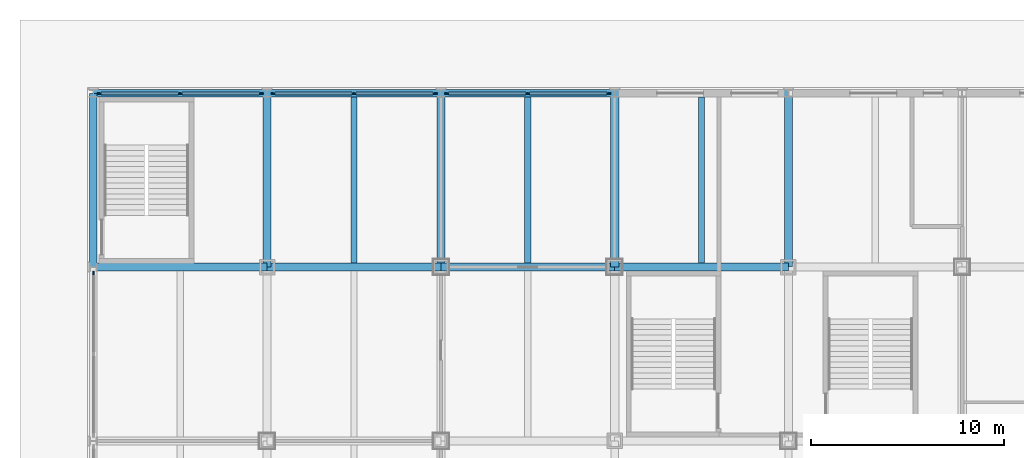
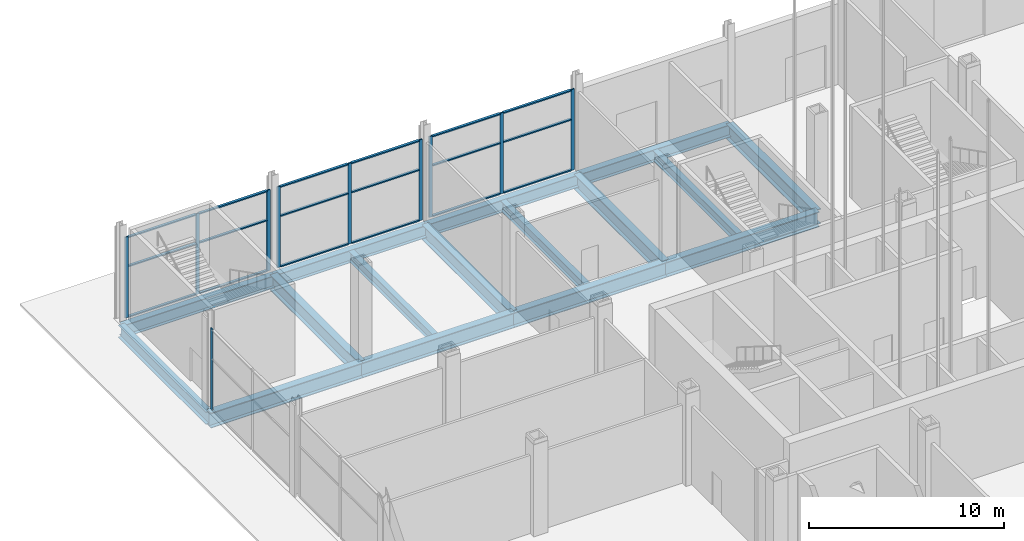
# One storey, part 14 of 34: 28 members, 16 beams, 4 elements without a shape of their own.
"""IFC4 building model written with IfcOpenShell, lengths in metres."""

from ifc_helpers import new_model, si_unit, direction, frame, origin, origin_2d, place, context, subcontext, project, spatial, rectangle, i_section, extrude, material, material_profile, profile_set, type_object, element, aggregate, save


model = new_model("IFC4")

# Units and contexts
model_context = context("Model", 3, precision=1e-05, world=origin(), true_north=direction((0.0, 1.0)))
body_context = subcontext(model_context, "Body", "Model", "MODEL_VIEW")
ifc_project = project(units=[si_unit("LENGTHUNIT", "METRE"), si_unit("AREAUNIT", "SQUARE_METRE"), si_unit("VOLUMEUNIT", "CUBIC_METRE"), si_unit("PLANEANGLEUNIT", "RADIAN"), si_unit("MASSUNIT", "GRAM", prefix="KILO")], contexts=[model_context])

# Site, building, storey
site_placement = place(None, origin())
site = spatial("IfcSite", under=ifc_project, at=site_placement, CompositionType="ELEMENT")
building_placement = place(site_placement, origin())
building = spatial("IfcBuilding", under=site, at=building_placement, Name="Loomwork Tower", CompositionType="ELEMENT")
storey_placement = place(building_placement, origin())
storey = spatial("IfcBuildingStorey", under=building, at=storey_placement, Name="L00", CompositionType="ELEMENT", Elevation=0.0)

# Beams
ifc_material_1 = material(Name="Steel ASTM A992", Category="steel")
ifc_material_profile_1 = material_profile(ifc_material_1, i_section(OverallWidth=0.381103515625, OverallDepth=0.77978515625, WebThickness=0.01806640625, FlangeThickness=0.0302734375, at=origin_2d()), Name="W30x191")
ifc_profile_set_1 = profile_set([ifc_material_profile_1], Name="Steel ASTM A992")
beam_type_1 = type_object("IfcBeamType", Name="EDGE GIRDER W30x191", PredefinedType="BEAM", material=ifc_profile_set_1)
for number, where, z_axis, x_axis, name in (
    (1, (-9.0, 45.0, -0.68994140625), (1.0, 0.0, 0.0), (0.0, 1.0, 0.0), "Edge Girder J/1-J/2 L00"),
    (2, (0.0, 45.0, -0.68994140625), (1.0, 0.0, 0.0), (0.0, 1.0, 0.0), "Edge Girder J/2-J/3 L00"),
    (3, (9.0, 45.0, -0.68994140625), (1.0, 0.0, 0.0), (0.0, 1.0, 0.0), "Edge Girder J/3-J/4 L00"),
    (4, (18.0, 45.0, -0.68994140625), (1.0, 0.0, 0.0), (0.0, 1.0, 0.0), "Edge Girder J/4-J/5 L00"),
    (5, (-9.0, 36.0, -0.68994140625), (0.0, 1.0, 0.0), (-1.0, 0.0, 0.0), "Edge Girder H/1-J/1 L00"),
):
    element("IfcBeam", number, at=place(storey_placement, frame(where, z_axis=z_axis, x_axis=x_axis)), inside=storey, type_object=beam_type_1, Name=name, PredefinedType="BEAM", context=body_context, shape_type="SweptSolid", body=[
        extrude(i_section(OverallWidth=0.381103515625, OverallDepth=0.77978515625, WebThickness=0.01806640625, FlangeThickness=0.0302734375, at=origin_2d()), origin(), (0.0, 0.0, 1.0), 9.0),
    ])
ifc_material_2 = material(Name="Steel ASTM A992", Category="steel")
ifc_material_profile_2 = material_profile(ifc_material_2, i_section(OverallWidth=0.3251953125, OverallDepth=0.612060546875, WebThickness=0.0126953125, FlangeThickness=0.01904296875, at=origin_2d()), Name="W24x104")
ifc_profile_set_2 = profile_set([ifc_material_profile_2], Name="Steel ASTM A992")
beam_type_2 = type_object("IfcBeamType", Name="FLOOR JOIST W24x104", PredefinedType="JOIST", material=ifc_profile_set_2)
for number, where, z_axis, x_axis, name in (
    (6, (4.5, 36.2119140625, -0.60595703125), (0.0, 1.0, 0.0), (-1.0, 0.0, 0.0), "Floor Joist 4.500,36.000-4.500,45.000 L00"),
    (7, (13.5, 36.2119140625, -0.60595703125), (0.0, 1.0, 0.0), (-1.0, 0.0, 0.0), "Floor Joist 13.500,36.000-13.500,45.000 L00"),
    (8, (22.5, 36.2119140625, -0.60595703125), (0.0, 1.0, 0.0), (-1.0, 0.0, 0.0), "Floor Joist 22.500,36.000-22.500,45.000 L00"),
):
    element("IfcBeam", number, at=place(storey_placement, frame(where, z_axis=z_axis, x_axis=x_axis)), inside=storey, type_object=beam_type_2, Name=name, PredefinedType="JOIST", context=body_context, shape_type="SweptSolid", body=[
        extrude(i_section(OverallWidth=0.3251953125, OverallDepth=0.612060546875, WebThickness=0.0126953125, FlangeThickness=0.01904296875, at=origin_2d()), origin(), (0.0, 0.0, 1.0), 8.59814453125),
    ])

# Curtain wall, members
ifc_material_3 = material(Name="Aluminium storefront frame", Category="aluminium")
curtain_wall_type = type_object("IfcCurtainWallType", Name="Storefront glazing", PredefinedType="NOTDEFINED", material=ifc_material_3)
curtain_wall_1_placement = place(storey_placement, origin())
curtain_wall_1 = element("IfcCurtainWall", 9, at=curtain_wall_1_placement, inside=storey, type_object=curtain_wall_type, Name="Storefront glazing cw/N--9", PredefinedType="NOTDEFINED")
ifc_material_4 = material(Name="Aluminium storefront frame", Category="aluminium")
ifc_material_profile_3 = material_profile(ifc_material_4, rectangle(XDim=0.074951171875, YDim=0.199951171875, at=origin_2d()), Name="AL 75x200")
ifc_profile_set_3 = profile_set([ifc_material_profile_3], Name="Aluminium storefront frame")
member_type_1 = type_object("IfcMemberType", Name="Storefront glazing mullion", PredefinedType="MULLION", material=ifc_profile_set_3)
member_1_placement = place(storey_placement, frame((-0.30078125, 45.0, 0.0), z_axis=(0.0, 0.0, 1.0), x_axis=(0.0, -1.0, 0.0)))
member_1 = element("IfcMember", 10, at=member_1_placement, type_object=member_type_1, Name="CW7 mullion 1", PredefinedType="MULLION", context=body_context, shape_type="SweptSolid", body=[
    extrude(rectangle(XDim=0.074951171875, YDim=0.199951171875, at=origin_2d()), origin(), (0.0, 0.0, 1.0), 5.053955078125),
])
member_2_placement = place(storey_placement, frame((-4.5, 45.0, 0.0), z_axis=(0.0, 0.0, 1.0), x_axis=(0.0, -1.0, 0.0)))
member_2 = element("IfcMember", 11, at=member_2_placement, type_object=member_type_1, Name="CW7 mullion 2", PredefinedType="MULLION", context=body_context, shape_type="SweptSolid", body=[
    extrude(rectangle(XDim=0.074951171875, YDim=0.199951171875, at=origin_2d()), origin(), (0.0, 0.0, 1.0), 5.053955078125),
])
member_3_placement = place(storey_placement, frame((-8.69921875, 45.0, 0.0), z_axis=(0.0, 0.0, 1.0), x_axis=(0.0, -1.0, 0.0)))
member_3 = element("IfcMember", 12, at=member_3_placement, type_object=member_type_1, Name="CW7 mullion 3", PredefinedType="MULLION", context=body_context, shape_type="SweptSolid", body=[
    extrude(rectangle(XDim=0.074951171875, YDim=0.199951171875, at=origin_2d()), origin(), (0.0, 0.0, 1.0), 5.053955078125),
])

curtain_wall_2_placement = place(storey_placement, origin())
curtain_wall_2 = element("IfcCurtainWall", 13, at=curtain_wall_2_placement, inside=storey, type_object=curtain_wall_type, Name="Storefront glazing cw/N-0", PredefinedType="NOTDEFINED")
member_4_placement = place(storey_placement, frame((8.69921875, 45.0, 0.0), z_axis=(0.0, 0.0, 1.0), x_axis=(0.0, -1.0, 0.0)))
member_4 = element("IfcMember", 14, at=member_4_placement, type_object=member_type_1, Name="CW7 mullion 1", PredefinedType="MULLION", context=body_context, shape_type="SweptSolid", body=[
    extrude(rectangle(XDim=0.074951171875, YDim=0.199951171875, at=origin_2d()), origin(), (0.0, 0.0, 1.0), 5.053955078125),
])
member_5_placement = place(storey_placement, frame((4.5, 45.0, 0.0), z_axis=(0.0, 0.0, 1.0), x_axis=(0.0, -1.0, 0.0)))
member_5 = element("IfcMember", 15, at=member_5_placement, type_object=member_type_1, Name="CW7 mullion 2", PredefinedType="MULLION", context=body_context, shape_type="SweptSolid", body=[
    extrude(rectangle(XDim=0.074951171875, YDim=0.199951171875, at=origin_2d()), origin(), (0.0, 0.0, 1.0), 5.053955078125),
])
member_6_placement = place(storey_placement, frame((0.30078125, 45.0, 0.0), z_axis=(0.0, 0.0, 1.0), x_axis=(0.0, -1.0, 0.0)))
member_6 = element("IfcMember", 16, at=member_6_placement, type_object=member_type_1, Name="CW7 mullion 3", PredefinedType="MULLION", context=body_context, shape_type="SweptSolid", body=[
    extrude(rectangle(XDim=0.074951171875, YDim=0.199951171875, at=origin_2d()), origin(), (0.0, 0.0, 1.0), 5.053955078125),
])

curtain_wall_3_placement = place(storey_placement, origin())
curtain_wall_3 = element("IfcCurtainWall", 17, at=curtain_wall_3_placement, inside=storey, type_object=curtain_wall_type, Name="Storefront glazing cw/N-9", PredefinedType="NOTDEFINED")
member_7_placement = place(storey_placement, frame((17.69921875, 45.0, 0.0), z_axis=(0.0, 0.0, 1.0), x_axis=(0.0, -1.0, 0.0)))
member_7 = element("IfcMember", 18, at=member_7_placement, type_object=member_type_1, Name="CW7 mullion 1", PredefinedType="MULLION", context=body_context, shape_type="SweptSolid", body=[
    extrude(rectangle(XDim=0.074951171875, YDim=0.199951171875, at=origin_2d()), origin(), (0.0, 0.0, 1.0), 5.053955078125),
])
member_8_placement = place(storey_placement, frame((13.5, 45.0, 0.0), z_axis=(0.0, 0.0, 1.0), x_axis=(0.0, -1.0, 0.0)))
member_8 = element("IfcMember", 19, at=member_8_placement, type_object=member_type_1, Name="CW7 mullion 2", PredefinedType="MULLION", context=body_context, shape_type="SweptSolid", body=[
    extrude(rectangle(XDim=0.074951171875, YDim=0.199951171875, at=origin_2d()), origin(), (0.0, 0.0, 1.0), 5.053955078125),
])
member_9_placement = place(storey_placement, frame((9.30078125, 45.0, 0.0), z_axis=(0.0, 0.0, 1.0), x_axis=(0.0, -1.0, 0.0)))
member_9 = element("IfcMember", 20, at=member_9_placement, type_object=member_type_1, Name="CW7 mullion 3", PredefinedType="MULLION", context=body_context, shape_type="SweptSolid", body=[
    extrude(rectangle(XDim=0.074951171875, YDim=0.199951171875, at=origin_2d()), origin(), (0.0, 0.0, 1.0), 5.053955078125),
])

# Curtain wall, member
curtain_wall_4_placement = place(storey_placement, origin())
curtain_wall_4 = element("IfcCurtainWall", 21, at=curtain_wall_4_placement, inside=storey, type_object=curtain_wall_type, Name="Storefront glazing cw/W-27", PredefinedType="NOTDEFINED")
member_10_placement = place(storey_placement, frame((-9.0, 35.69921875, 0.0), z_axis=(0.0, 0.0, 1.0), x_axis=(1.0, 0.0, 0.0)))
member_10 = element("IfcMember", 22, at=member_10_placement, type_object=member_type_1, Name="CW7 mullion 1", PredefinedType="MULLION", context=body_context, shape_type="SweptSolid", body=[
    extrude(rectangle(XDim=0.074951171875, YDim=0.199951171875, at=origin_2d()), origin(), (0.0, 0.0, 1.0), 5.053955078125),
])
aggregate(curtain_wall_4, [member_10])

# Member
ifc_material_5 = material(Name="Aluminium storefront frame", Category="aluminium")
ifc_material_profile_4 = material_profile(ifc_material_5, rectangle(XDim=0.14990234375, YDim=0.074951171875, at=origin_2d()), Name="AL 75x150")
ifc_profile_set_4 = profile_set([ifc_material_profile_4], Name="Aluminium storefront frame")
member_type_2 = type_object("IfcMemberType", Name="Storefront glazing transom", PredefinedType="USERDEFINED", material=ifc_profile_set_4)
member_11_placement = place(storey_placement, frame((-0.400634765625, 45.0, 0.03759765625), z_axis=(-1.0, 0.0, 0.0), x_axis=(0.0, -1.0, 0.0)))
member_11 = element("IfcMember", 23, at=member_11_placement, type_object=member_type_2, Name="CW7 transom 1.1", ObjectType="TRANSOM", PredefinedType="USERDEFINED", context=body_context, shape_type="SweptSolid", body=[
    extrude(rectangle(XDim=0.14990234375, YDim=0.074951171875, at=origin_2d()), origin(), (0.0, 0.0, 1.0), 3.999267578125),
])

member_12_placement = place(storey_placement, frame((-0.400634765625, 45.0, 3.199951171875), z_axis=(-1.0, 0.0, 0.0), x_axis=(0.0, -1.0, 0.0)))
member_12 = element("IfcMember", 24, at=member_12_placement, type_object=member_type_2, Name="CW7 transom 1.2", ObjectType="TRANSOM", PredefinedType="USERDEFINED", context=body_context, shape_type="SweptSolid", body=[
    extrude(rectangle(XDim=0.14990234375, YDim=0.074951171875, at=origin_2d()), origin(), (0.0, 0.0, 1.0), 3.999267578125),
])

member_13_placement = place(storey_placement, frame((-0.400634765625, 45.0, 5.0166015625), z_axis=(-1.0, 0.0, 0.0), x_axis=(0.0, -1.0, 0.0)))
member_13 = element("IfcMember", 25, at=member_13_placement, type_object=member_type_2, Name="CW7 transom 1.3", ObjectType="TRANSOM", PredefinedType="USERDEFINED", context=body_context, shape_type="SweptSolid", body=[
    extrude(rectangle(XDim=0.14990234375, YDim=0.074951171875, at=origin_2d()), origin(), (0.0, 0.0, 1.0), 3.999267578125),
])

member_14_placement = place(storey_placement, frame((-4.60009765625, 45.0, 0.03759765625), z_axis=(-1.0, 0.0, 0.0), x_axis=(0.0, -1.0, 0.0)))
member_14 = element("IfcMember", 26, at=member_14_placement, type_object=member_type_2, Name="CW7 transom 2.1", ObjectType="TRANSOM", PredefinedType="USERDEFINED", context=body_context, shape_type="SweptSolid", body=[
    extrude(rectangle(XDim=0.14990234375, YDim=0.074951171875, at=origin_2d()), origin(), (0.0, 0.0, 1.0), 3.999267578125),
])

member_15_placement = place(storey_placement, frame((-4.60009765625, 45.0, 3.199951171875), z_axis=(-1.0, 0.0, 0.0), x_axis=(0.0, -1.0, 0.0)))
member_15 = element("IfcMember", 27, at=member_15_placement, type_object=member_type_2, Name="CW7 transom 2.2", ObjectType="TRANSOM", PredefinedType="USERDEFINED", context=body_context, shape_type="SweptSolid", body=[
    extrude(rectangle(XDim=0.14990234375, YDim=0.074951171875, at=origin_2d()), origin(), (0.0, 0.0, 1.0), 3.999267578125),
])

member_16_placement = place(storey_placement, frame((-4.60009765625, 45.0, 5.0166015625), z_axis=(-1.0, 0.0, 0.0), x_axis=(0.0, -1.0, 0.0)))
member_16 = element("IfcMember", 28, at=member_16_placement, type_object=member_type_2, Name="CW7 transom 2.3", ObjectType="TRANSOM", PredefinedType="USERDEFINED", context=body_context, shape_type="SweptSolid", body=[
    extrude(rectangle(XDim=0.14990234375, YDim=0.074951171875, at=origin_2d()), origin(), (0.0, 0.0, 1.0), 3.999267578125),
])

aggregate(curtain_wall_1, [member_1, member_2, member_3, member_11, member_12, member_13, member_14, member_15, member_16])

member_17_placement = place(storey_placement, frame((8.599365234375, 45.0, 0.03759765625), z_axis=(-1.0, 0.0, 0.0), x_axis=(0.0, -1.0, 0.0)))
member_17 = element("IfcMember", 29, at=member_17_placement, type_object=member_type_2, Name="CW7 transom 1.1", ObjectType="TRANSOM", PredefinedType="USERDEFINED", context=body_context, shape_type="SweptSolid", body=[
    extrude(rectangle(XDim=0.14990234375, YDim=0.074951171875, at=origin_2d()), origin(), (0.0, 0.0, 1.0), 3.999267578125),
])

member_18_placement = place(storey_placement, frame((8.599365234375, 45.0, 3.199951171875), z_axis=(-1.0, 0.0, 0.0), x_axis=(0.0, -1.0, 0.0)))
member_18 = element("IfcMember", 30, at=member_18_placement, type_object=member_type_2, Name="CW7 transom 1.2", ObjectType="TRANSOM", PredefinedType="USERDEFINED", context=body_context, shape_type="SweptSolid", body=[
    extrude(rectangle(XDim=0.14990234375, YDim=0.074951171875, at=origin_2d()), origin(), (0.0, 0.0, 1.0), 3.999267578125),
])

member_19_placement = place(storey_placement, frame((8.599365234375, 45.0, 5.0166015625), z_axis=(-1.0, 0.0, 0.0), x_axis=(0.0, -1.0, 0.0)))
member_19 = element("IfcMember", 31, at=member_19_placement, type_object=member_type_2, Name="CW7 transom 1.3", ObjectType="TRANSOM", PredefinedType="USERDEFINED", context=body_context, shape_type="SweptSolid", body=[
    extrude(rectangle(XDim=0.14990234375, YDim=0.074951171875, at=origin_2d()), origin(), (0.0, 0.0, 1.0), 3.999267578125),
])

member_20_placement = place(storey_placement, frame((4.39990234375, 45.0, 0.03759765625), z_axis=(-1.0, 0.0, 0.0), x_axis=(0.0, -1.0, 0.0)))
member_20 = element("IfcMember", 32, at=member_20_placement, type_object=member_type_2, Name="CW7 transom 2.1", ObjectType="TRANSOM", PredefinedType="USERDEFINED", context=body_context, shape_type="SweptSolid", body=[
    extrude(rectangle(XDim=0.14990234375, YDim=0.074951171875, at=origin_2d()), origin(), (0.0, 0.0, 1.0), 3.999267578125),
])

member_21_placement = place(storey_placement, frame((4.39990234375, 45.0, 3.199951171875), z_axis=(-1.0, 0.0, 0.0), x_axis=(0.0, -1.0, 0.0)))
member_21 = element("IfcMember", 33, at=member_21_placement, type_object=member_type_2, Name="CW7 transom 2.2", ObjectType="TRANSOM", PredefinedType="USERDEFINED", context=body_context, shape_type="SweptSolid", body=[
    extrude(rectangle(XDim=0.14990234375, YDim=0.074951171875, at=origin_2d()), origin(), (0.0, 0.0, 1.0), 3.999267578125),
])

member_22_placement = place(storey_placement, frame((4.39990234375, 45.0, 5.0166015625), z_axis=(-1.0, 0.0, 0.0), x_axis=(0.0, -1.0, 0.0)))
member_22 = element("IfcMember", 34, at=member_22_placement, type_object=member_type_2, Name="CW7 transom 2.3", ObjectType="TRANSOM", PredefinedType="USERDEFINED", context=body_context, shape_type="SweptSolid", body=[
    extrude(rectangle(XDim=0.14990234375, YDim=0.074951171875, at=origin_2d()), origin(), (0.0, 0.0, 1.0), 3.999267578125),
])

aggregate(curtain_wall_2, [member_4, member_5, member_6, member_17, member_18, member_19, member_20, member_21, member_22])

member_23_placement = place(storey_placement, frame((17.599365234375, 45.0, 0.03759765625), z_axis=(-1.0, 0.0, 0.0), x_axis=(0.0, -1.0, 0.0)))
member_23 = element("IfcMember", 35, at=member_23_placement, type_object=member_type_2, Name="CW7 transom 1.1", ObjectType="TRANSOM", PredefinedType="USERDEFINED", context=body_context, shape_type="SweptSolid", body=[
    extrude(rectangle(XDim=0.14990234375, YDim=0.074951171875, at=origin_2d()), origin(), (0.0, 0.0, 1.0), 3.999267578125),
])

member_24_placement = place(storey_placement, frame((17.599365234375, 45.0, 3.199951171875), z_axis=(-1.0, 0.0, 0.0), x_axis=(0.0, -1.0, 0.0)))
member_24 = element("IfcMember", 36, at=member_24_placement, type_object=member_type_2, Name="CW7 transom 1.2", ObjectType="TRANSOM", PredefinedType="USERDEFINED", context=body_context, shape_type="SweptSolid", body=[
    extrude(rectangle(XDim=0.14990234375, YDim=0.074951171875, at=origin_2d()), origin(), (0.0, 0.0, 1.0), 3.999267578125),
])

member_25_placement = place(storey_placement, frame((17.599365234375, 45.0, 5.0166015625), z_axis=(-1.0, 0.0, 0.0), x_axis=(0.0, -1.0, 0.0)))
member_25 = element("IfcMember", 37, at=member_25_placement, type_object=member_type_2, Name="CW7 transom 1.3", ObjectType="TRANSOM", PredefinedType="USERDEFINED", context=body_context, shape_type="SweptSolid", body=[
    extrude(rectangle(XDim=0.14990234375, YDim=0.074951171875, at=origin_2d()), origin(), (0.0, 0.0, 1.0), 3.999267578125),
])

member_26_placement = place(storey_placement, frame((13.39990234375, 45.0, 0.03759765625), z_axis=(-1.0, 0.0, 0.0), x_axis=(0.0, -1.0, 0.0)))
member_26 = element("IfcMember", 38, at=member_26_placement, type_object=member_type_2, Name="CW7 transom 2.1", ObjectType="TRANSOM", PredefinedType="USERDEFINED", context=body_context, shape_type="SweptSolid", body=[
    extrude(rectangle(XDim=0.14990234375, YDim=0.074951171875, at=origin_2d()), origin(), (0.0, 0.0, 1.0), 3.999267578125),
])

member_27_placement = place(storey_placement, frame((13.39990234375, 45.0, 3.199951171875), z_axis=(-1.0, 0.0, 0.0), x_axis=(0.0, -1.0, 0.0)))
member_27 = element("IfcMember", 39, at=member_27_placement, type_object=member_type_2, Name="CW7 transom 2.2", ObjectType="TRANSOM", PredefinedType="USERDEFINED", context=body_context, shape_type="SweptSolid", body=[
    extrude(rectangle(XDim=0.14990234375, YDim=0.074951171875, at=origin_2d()), origin(), (0.0, 0.0, 1.0), 3.999267578125),
])

member_28_placement = place(storey_placement, frame((13.39990234375, 45.0, 5.0166015625), z_axis=(-1.0, 0.0, 0.0), x_axis=(0.0, -1.0, 0.0)))
member_28 = element("IfcMember", 40, at=member_28_placement, type_object=member_type_2, Name="CW7 transom 2.3", ObjectType="TRANSOM", PredefinedType="USERDEFINED", context=body_context, shape_type="SweptSolid", body=[
    extrude(rectangle(XDim=0.14990234375, YDim=0.074951171875, at=origin_2d()), origin(), (0.0, 0.0, 1.0), 3.999267578125),
])

aggregate(curtain_wall_3, [member_7, member_8, member_9, member_23, member_24, member_25, member_26, member_27, member_28])

# Beams
ifc_material_6 = material(Name="Steel ASTM A992", Category="steel")
ifc_material_profile_5 = material_profile(ifc_material_6, i_section(OverallWidth=0.424072265625, OverallDepth=0.947509765625, WebThickness=0.02392578125, FlangeThickness=0.042724609375, at=origin_2d()), Name="W36x302")
ifc_profile_set_5 = profile_set([ifc_material_profile_5], Name="Steel ASTM A992")
beam_type_3 = type_object("IfcBeamType", Name="TRANSFER FLOOR GIRDER W36x302", PredefinedType="BEAM", material=ifc_profile_set_5)
for number, where, z_axis, x_axis, name in (
    (41, (-9.0, 36.0, -0.773681640625), (1.0, 0.0, 0.0), (0.0, 1.0, 0.0), "Transfer Floor Girder H/1-H/2 L00"),
    (42, (0.0, 36.0, -0.773681640625), (1.0, 0.0, 0.0), (0.0, 1.0, 0.0), "Transfer Floor Girder H/2-H/3 L00"),
    (43, (9.0, 36.0, -0.773681640625), (1.0, 0.0, 0.0), (0.0, 1.0, 0.0), "Transfer Floor Girder H/3-H/4 L00"),
    (44, (18.0, 36.0, -0.773681640625), (1.0, 0.0, 0.0), (0.0, 1.0, 0.0), "Transfer Floor Girder H/4-H/5 L00"),
    (45, (0.0, 36.0, -0.773681640625), (0.0, 1.0, 0.0), (-1.0, 0.0, 0.0), "Transfer Floor Girder H/2-J/2 L00"),
    (46, (9.0, 36.0, -0.773681640625), (0.0, 1.0, 0.0), (-1.0, 0.0, 0.0), "Transfer Floor Girder H/3-J/3 L00"),
    (47, (18.0, 36.0, -0.773681640625), (0.0, 1.0, 0.0), (-1.0, 0.0, 0.0), "Transfer Floor Girder H/4-J/4 L00"),
    (48, (27.0, 36.0, -0.773681640625), (0.0, 1.0, 0.0), (-1.0, 0.0, 0.0), "Transfer Floor Girder H/5-J/5 L00"),
):
    element("IfcBeam", number, at=place(storey_placement, frame(where, z_axis=z_axis, x_axis=x_axis)), inside=storey, type_object=beam_type_3, Name=name, PredefinedType="BEAM", context=body_context, shape_type="SweptSolid", body=[
        extrude(i_section(OverallWidth=0.424072265625, OverallDepth=0.947509765625, WebThickness=0.02392578125, FlangeThickness=0.042724609375, at=origin_2d()), origin(), (0.0, 0.0, 1.0), 9.0),
    ])

save(model, "model.ifc")
